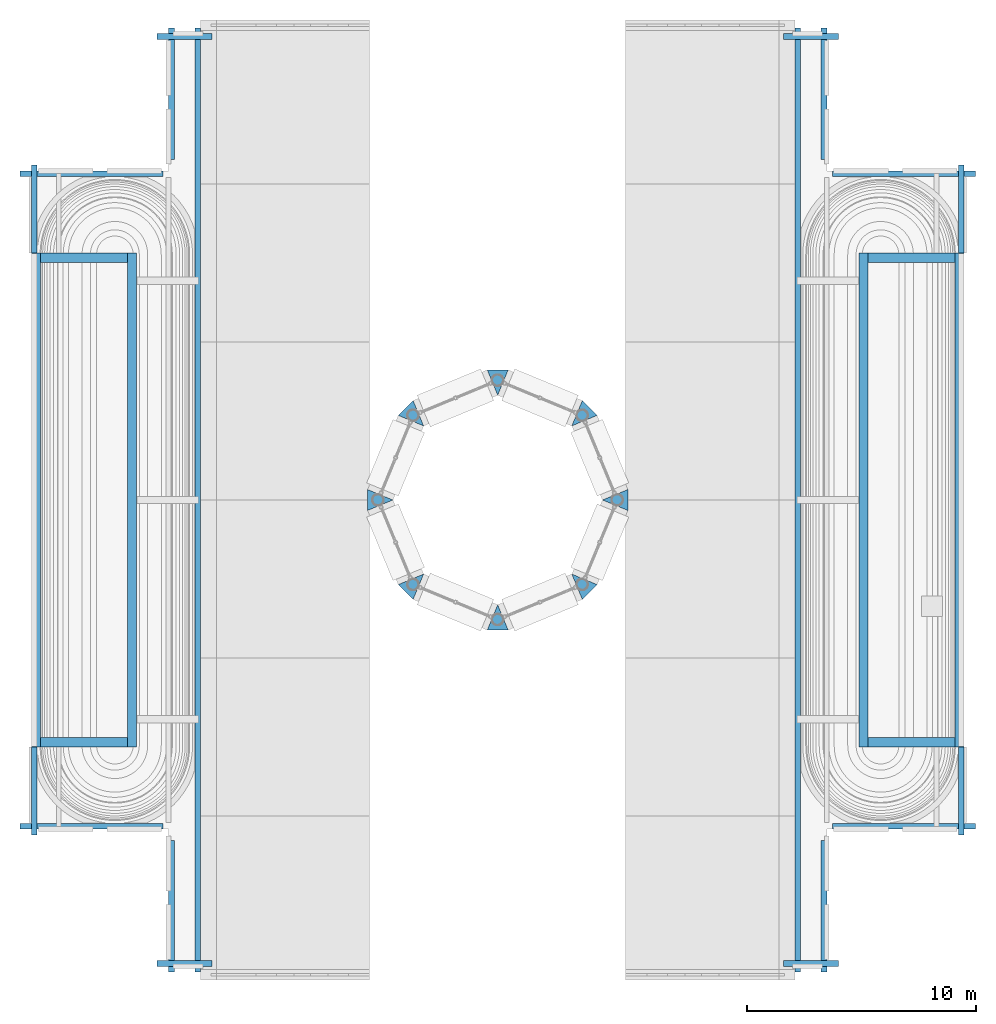
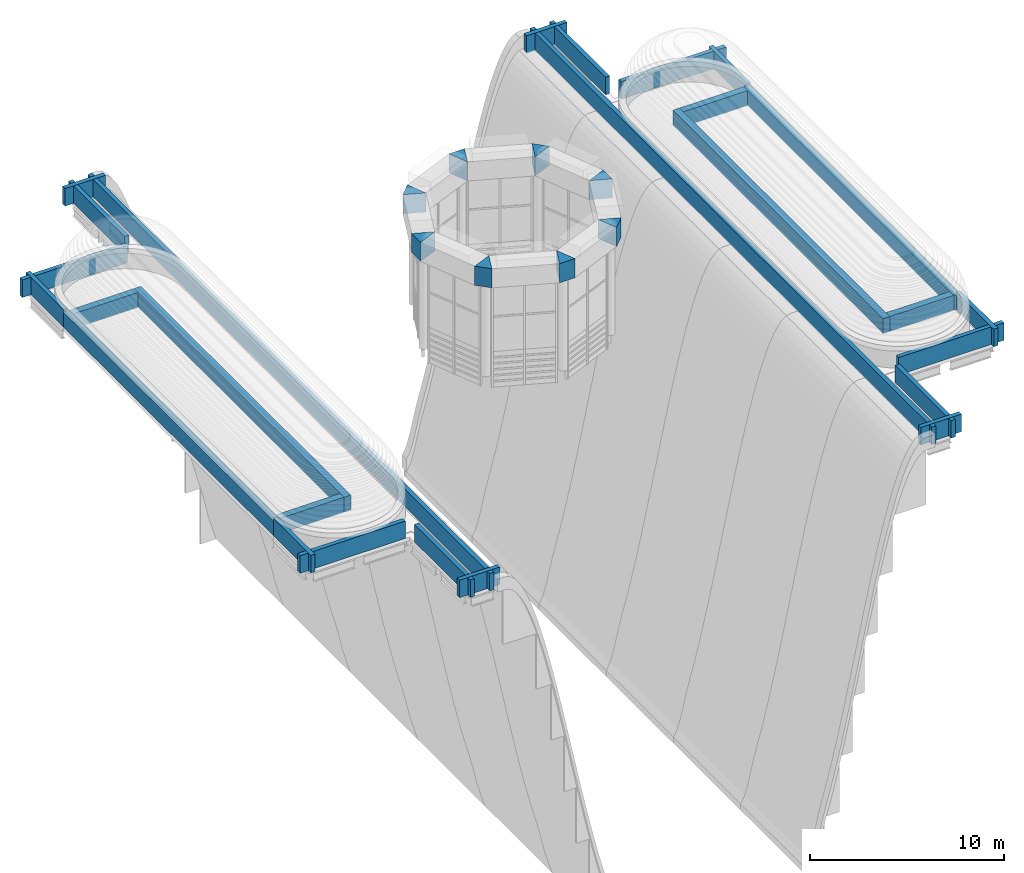
# One storey, part 7 of 14: 26 walls, 8 discrete accessories.
"""IFC4 building model written with IfcOpenShell, lengths in metres."""

from ifc_helpers import new_model, si_unit, direction, frame, frame_2d, origin, place, context, subcontext, project, spatial, polyline, rectangle, outline, extrude, material, layer, layer_set, type_object, element, save


model = new_model("IFC4")

# Units and contexts
model_context = context("Model", 3, precision=1e-05, world=origin(), true_north=direction((0.0, 1.0)))
body_context = subcontext(model_context, "Body", "Model", "MODEL_VIEW")
ifc_project = project(units=[si_unit("LENGTHUNIT", "METRE"), si_unit("AREAUNIT", "SQUARE_METRE"), si_unit("VOLUMEUNIT", "CUBIC_METRE"), si_unit("PLANEANGLEUNIT", "RADIAN"), si_unit("MASSUNIT", "GRAM", prefix="KILO")], contexts=[model_context])

# Site, building, storey
site_placement = place(None, origin())
site = spatial("IfcSite", under=ifc_project, at=site_placement, CompositionType="ELEMENT")
building_placement = place(site_placement, origin())
building = spatial("IfcBuilding", under=site, at=building_placement, Name="Cobrizo Arcos Hotel Tower", CompositionType="ELEMENT")
storey_placement = place(building_placement, frame((0.0, 0.0, 290.0)))
storey = spatial("IfcBuildingStorey", under=building, at=storey_placement, Name="RF", CompositionType="ELEMENT", Elevation=290.0)

# Walls
ifc_material_1 = material(Name="Aluminium composite panel pale metal", Category="aluminium")
ifc_layer_1 = layer(ifc_material_1, 0.25)
ifc_layer_set_1 = layer_set([ifc_layer_1], Name="PW-1 parapet wall")
wall_type_1 = type_object("IfcWallType", Name="PW-1 parapet wall", PredefinedType="PARAPET", material=ifc_layer_set_1)
wall_1_placement = place(storey_placement, frame((14.89990234375, 20.27490234375, 0.0), z_axis=(0.0, 0.0, 1.0), x_axis=(-1.0, 0.0, 0.0)))
element("IfcWall", 1, at=wall_1_placement, inside=storey, type_object=wall_type_1, Name="Parapet L76 N", PredefinedType="PARAPET", context=body_context, shape_type="SweptSolid", body=[
    extrude(rectangle(XDim=2.39990234375, YDim=0.25, at=frame_2d((1.199951171875, 0.0))), origin(), (0.0, 0.0, 1.0), 1.10009765625),
])
wall_2_placement = place(storey_placement, frame((13.125, 20.64990234375, 0.0), z_axis=(0.0, 0.0, 1.0), x_axis=(0.0, -1.0, 0.0)))
element("IfcWall", 2, at=wall_2_placement, inside=storey, type_object=wall_type_1, Name="Parapet L76 W", PredefinedType="PARAPET", context=body_context, shape_type="SweptSolid", body=[
    extrude(rectangle(XDim=41.2998046875, YDim=0.25, at=frame_2d((20.64990234375, 0.0))), origin(), (0.0, 0.0, 1.0), 1.10009765625),
])
wall_3_placement = place(storey_placement, frame((12.5, -20.27490234375, 0.0), z_axis=(0.0, 0.0, 1.0), x_axis=(1.0, 0.0, 0.0)))
element("IfcWall", 3, at=wall_3_placement, inside=storey, type_object=wall_type_1, Name="Parapet L76 S", PredefinedType="PARAPET", context=body_context, shape_type="SweptSolid", body=[
    extrude(rectangle(XDim=2.39990234375, YDim=0.25, at=frame_2d((1.199951171875, 0.0))), origin(), (0.0, 0.0, 1.0), 1.10009765625),
])
wall_4_placement = place(storey_placement, frame((14.27490234375, -20.64990234375, 0.0), z_axis=(0.0, 0.0, 1.0), x_axis=(0.0, 1.0, 0.0)))
element("IfcWall", 4, at=wall_4_placement, inside=storey, type_object=wall_type_1, Name="Parapet L76 E", PredefinedType="PARAPET", context=body_context, shape_type="SweptSolid", body=[
    extrude(rectangle(XDim=5.75, YDim=0.25, at=frame_2d((2.875, 0.0))), origin(), (0.0, 0.0, 1.0), 1.10009765625),
])
wall_5_placement = place(storey_placement, frame((14.64990234375, -14.27490234375, 0.0), z_axis=(0.0, 0.0, 1.0), x_axis=(1.0, 0.0, 0.0)))
element("IfcWall", 5, at=wall_5_placement, inside=storey, type_object=wall_type_1, Name="Parapet L76 S", PredefinedType="PARAPET", context=body_context, shape_type="SweptSolid", body=[
    extrude(rectangle(XDim=6.25, YDim=0.25, at=frame_2d((3.125, 0.0))), origin(), (0.0, 0.0, 1.0), 1.10009765625),
])
for number, where, z_axis, x_axis, name in (
    (6, (20.27490234375, -14.64990234375, 0.0), (0.0, 0.0, 1.0), (0.0, 1.0, 0.0), "Parapet L76 E"),
    (7, (20.27490234375, 10.800048828125, 0.0), (0.0, 0.0, 1.0), (0.0, 1.0, 0.0), "Parapet L76 E"),
):
    element("IfcWall", number, at=place(storey_placement, frame(where, z_axis=z_axis, x_axis=x_axis)), inside=storey, type_object=wall_type_1, Name=name, PredefinedType="PARAPET", context=body_context, shape_type="SweptSolid", body=[
        extrude(rectangle(XDim=3.849853515625, YDim=0.25, at=frame_2d((1.9248046875, 0.0))), origin(), (0.0, 0.0, 1.0), 1.10009765625),
    ])
wall_6_placement = place(storey_placement, frame((20.89990234375, 14.27490234375, 0.0), z_axis=(0.0, 0.0, 1.0), x_axis=(-1.0, 0.0, 0.0)))
element("IfcWall", 8, at=wall_6_placement, inside=storey, type_object=wall_type_1, Name="Parapet L76 N", PredefinedType="PARAPET", context=body_context, shape_type="SweptSolid", body=[
    extrude(rectangle(XDim=6.25, YDim=0.25, at=frame_2d((3.125, 0.0))), origin(), (0.0, 0.0, 1.0), 1.10009765625),
])
wall_7_placement = place(storey_placement, frame((14.27490234375, 14.89990234375, 0.0), z_axis=(0.0, 0.0, 1.0), x_axis=(0.0, 1.0, 0.0)))
element("IfcWall", 9, at=wall_7_placement, inside=storey, type_object=wall_type_1, Name="Parapet L76 E", PredefinedType="PARAPET", context=body_context, shape_type="SweptSolid", body=[
    extrude(rectangle(XDim=5.75, YDim=0.25, at=frame_2d((2.875, 0.0))), origin(), (0.0, 0.0, 1.0), 1.10009765625),
])
wall_8_placement = place(storey_placement, frame((-14.89990234375, -20.27490234375, 0.0), z_axis=(0.0, 0.0, 1.0), x_axis=(1.0, 0.0, 0.0)))
element("IfcWall", 10, at=wall_8_placement, inside=storey, type_object=wall_type_1, Name="Parapet L76 S", PredefinedType="PARAPET", context=body_context, shape_type="SweptSolid", body=[
    extrude(rectangle(XDim=2.39990234375, YDim=0.25, at=frame_2d((1.199951171875, 0.0))), origin(), (0.0, 0.0, 1.0), 1.10009765625),
])
wall_9_placement = place(storey_placement, frame((-13.125, -20.64990234375, 0.0), z_axis=(0.0, 0.0, 1.0), x_axis=(0.0, 1.0, 0.0)))
element("IfcWall", 11, at=wall_9_placement, inside=storey, type_object=wall_type_1, Name="Parapet L76 E", PredefinedType="PARAPET", context=body_context, shape_type="SweptSolid", body=[
    extrude(rectangle(XDim=41.2998046875, YDim=0.25, at=frame_2d((20.64990234375, 0.0))), origin(), (0.0, 0.0, 1.0), 1.10009765625),
])
wall_10_placement = place(storey_placement, frame((-12.5, 20.27490234375, 0.0), z_axis=(0.0, 0.0, 1.0), x_axis=(-1.0, 0.0, 0.0)))
element("IfcWall", 12, at=wall_10_placement, inside=storey, type_object=wall_type_1, Name="Parapet L76 N", PredefinedType="PARAPET", context=body_context, shape_type="SweptSolid", body=[
    extrude(rectangle(XDim=2.39990234375, YDim=0.25, at=frame_2d((1.199951171875, 0.0))), origin(), (0.0, 0.0, 1.0), 1.10009765625),
])
wall_11_placement = place(storey_placement, frame((-14.27490234375, 20.64990234375, 0.0), z_axis=(0.0, 0.0, 1.0), x_axis=(0.0, -1.0, 0.0)))
element("IfcWall", 13, at=wall_11_placement, inside=storey, type_object=wall_type_1, Name="Parapet L76 W", PredefinedType="PARAPET", context=body_context, shape_type="SweptSolid", body=[
    extrude(rectangle(XDim=5.75, YDim=0.25, at=frame_2d((2.875, 0.0))), origin(), (0.0, 0.0, 1.0), 1.10009765625),
])
wall_12_placement = place(storey_placement, frame((-14.64990234375, 14.27490234375, 0.0), z_axis=(0.0, 0.0, 1.0), x_axis=(-1.0, 0.0, 0.0)))
element("IfcWall", 14, at=wall_12_placement, inside=storey, type_object=wall_type_1, Name="Parapet L76 N", PredefinedType="PARAPET", context=body_context, shape_type="SweptSolid", body=[
    extrude(rectangle(XDim=6.25, YDim=0.25, at=frame_2d((3.125, 0.0))), origin(), (0.0, 0.0, 1.0), 1.10009765625),
])
for number, where, z_axis, x_axis, name in (
    (15, (-20.27490234375, 14.64990234375, 0.0), (0.0, 0.0, 1.0), (0.0, -1.0, 0.0), "Parapet L76 W"),
    (16, (-20.27490234375, -10.800048828125, 0.0), (0.0, 0.0, 1.0), (0.0, -1.0, 0.0), "Parapet L76 W"),
):
    element("IfcWall", number, at=place(storey_placement, frame(where, z_axis=z_axis, x_axis=x_axis)), inside=storey, type_object=wall_type_1, Name=name, PredefinedType="PARAPET", context=body_context, shape_type="SweptSolid", body=[
        extrude(rectangle(XDim=3.849853515625, YDim=0.25, at=frame_2d((1.9248046875, 0.0))), origin(), (0.0, 0.0, 1.0), 1.10009765625),
    ])
wall_13_placement = place(storey_placement, frame((-20.89990234375, -14.27490234375, 0.0), z_axis=(0.0, 0.0, 1.0), x_axis=(1.0, 0.0, 0.0)))
element("IfcWall", 17, at=wall_13_placement, inside=storey, type_object=wall_type_1, Name="Parapet L76 S", PredefinedType="PARAPET", context=body_context, shape_type="SweptSolid", body=[
    extrude(rectangle(XDim=6.25, YDim=0.25, at=frame_2d((3.125, 0.0))), origin(), (0.0, 0.0, 1.0), 1.10009765625),
])
wall_14_placement = place(storey_placement, frame((-14.27490234375, -14.89990234375, 0.0), z_axis=(0.0, 0.0, 1.0), x_axis=(0.0, -1.0, 0.0)))
element("IfcWall", 18, at=wall_14_placement, inside=storey, type_object=wall_type_1, Name="Parapet L76 W", PredefinedType="PARAPET", context=body_context, shape_type="SweptSolid", body=[
    extrude(rectangle(XDim=5.75, YDim=0.25, at=frame_2d((2.875, 0.0))), origin(), (0.0, 0.0, 1.0), 1.10009765625),
])
ifc_material_2 = material(Name="Concrete f'c 40 MPa", Category="concrete")
ifc_layer_2 = layer(ifc_material_2, 0.39990234375)
ifc_layer_set_2 = layer_set([ifc_layer_2], Name="RC core wall 400 f'c 40")
wall_type_2 = type_object("IfcWallType", Name="RC core wall 400 f'c 40", PredefinedType="SHEAR", material=ifc_layer_set_2)
for number, where, z_axis, x_axis, name in (
    (19, (16.0, -10.800048828125, 0.0), (0.0, 0.0, 1.0), (0.0, 1.0, 0.0), "Core wall CW4, east core, inner face, RF"),
    (20, (20.199951171875, -10.800048828125, 0.0), (0.0, 0.0, 1.0), (0.0, 1.0, 0.0), "Core wall CW4, east core, outer face, RF"),
):
    element("IfcWall", number, at=place(storey_placement, frame(where, z_axis=z_axis, x_axis=x_axis)), inside=storey, type_object=wall_type_2, Name=name, PredefinedType="SHEAR", context=body_context, shape_type="SweptSolid", body=[
        extrude(rectangle(XDim=21.60009765625, YDim=0.39990234375, at=frame_2d((10.800048828125, 0.0))), origin(), (0.0, 0.0, 1.0), 0.949951171875),
    ])
for number, where, z_axis, x_axis, name in (
    (21, (16.199951171875, 10.60009765625, 0.0), (0.0, 0.0, 1.0), (1.0, 0.0, 0.0), "Core wall CW4, east core, north end, RF"),
    (22, (16.199951171875, -10.60009765625, 0.0), (0.0, 0.0, 1.0), (1.0, 0.0, 0.0), "Core wall CW4, east core, south end, RF"),
):
    element("IfcWall", number, at=place(storey_placement, frame(where, z_axis=z_axis, x_axis=x_axis)), inside=storey, type_object=wall_type_2, Name=name, PredefinedType="SHEAR", context=body_context, shape_type="SweptSolid", body=[
        extrude(rectangle(XDim=3.800048828125, YDim=0.39990234375, at=frame_2d((1.89990234375, 0.0))), origin(), (0.0, 0.0, 1.0), 0.949951171875),
    ])
for number, where, z_axis, x_axis, name in (
    (23, (-16.0, -10.800048828125, 0.0), (0.0, 0.0, 1.0), (0.0, 1.0, 0.0), "Core wall CW4, west core, inner face, RF"),
    (24, (-20.199951171875, -10.800048828125, 0.0), (0.0, 0.0, 1.0), (0.0, 1.0, 0.0), "Core wall CW4, west core, outer face, RF"),
):
    element("IfcWall", number, at=place(storey_placement, frame(where, z_axis=z_axis, x_axis=x_axis)), inside=storey, type_object=wall_type_2, Name=name, PredefinedType="SHEAR", context=body_context, shape_type="SweptSolid", body=[
        extrude(rectangle(XDim=21.60009765625, YDim=0.39990234375, at=frame_2d((10.800048828125, 0.0))), origin(), (0.0, 0.0, 1.0), 0.949951171875),
    ])
for number, where, z_axis, x_axis, name in (
    (25, (-20.0, 10.60009765625, 0.0), (0.0, 0.0, 1.0), (1.0, 0.0, 0.0), "Core wall CW4, west core, north end, RF"),
    (26, (-20.0, -10.60009765625, 0.0), (0.0, 0.0, 1.0), (1.0, 0.0, 0.0), "Core wall CW4, west core, south end, RF"),
):
    element("IfcWall", number, at=place(storey_placement, frame(where, z_axis=z_axis, x_axis=x_axis)), inside=storey, type_object=wall_type_2, Name=name, PredefinedType="SHEAR", context=body_context, shape_type="SweptSolid", body=[
        extrude(rectangle(XDim=3.800048828125, YDim=0.39990234375, at=frame_2d((1.89990234375, 0.0))), origin(), (0.0, 0.0, 1.0), 0.949951171875),
    ])

# Discrete accessories
ifc_material_3 = material(Name="Steel ASTM A572 Grade 50", Category="steel")
discrete_accessory_type = type_object("IfcDiscreteAccessoryType", Name="DN-1 drum corner node", PredefinedType="BRACKET", material=ifc_material_3)
discrete_accessory_1_placement = place(storey_placement, frame((0.0, 0.0, 5.800048828125)))
element("IfcDiscreteAccessory", 27, at=discrete_accessory_1_placement, inside=storey, type_object=discrete_accessory_type, Name="Drum corner node", PredefinedType="BRACKET", context=body_context, shape_type="SweptSolid", body=[
    extrude(outline(polyline([(5.69189453125, -0.459228515625), (4.583251953125, 0.0), (4.583251953125, 0.0), (5.69189453125, 0.459228515625), (5.69189453125, -0.459228515625)])), origin(), (0.0, 0.0, 1.0), 1.199951171875),
])
discrete_accessory_2_placement = place(storey_placement, frame((0.0, 0.0, 5.800048828125)))
element("IfcDiscreteAccessory", 28, at=discrete_accessory_2_placement, inside=storey, type_object=discrete_accessory_type, Name="Drum corner node", PredefinedType="BRACKET", context=body_context, shape_type="SweptSolid", body=[
    extrude(outline(polyline([(3.24072265625, 3.24072265625), (3.24072265625, 3.24072265625), (3.699951171875, 4.349365234375), (4.349365234375, 3.699951171875), (3.24072265625, 3.24072265625)])), origin(), (0.0, 0.0, 1.0), 1.199951171875),
])
discrete_accessory_3_placement = place(storey_placement, frame((0.0, 0.0, 5.800048828125)))
element("IfcDiscreteAccessory", 29, at=discrete_accessory_3_placement, inside=storey, type_object=discrete_accessory_type, Name="Drum corner node", PredefinedType="BRACKET", context=body_context, shape_type="SweptSolid", body=[
    extrude(outline(polyline([(0.0, 4.583251953125), (-0.459228515625, 5.69189453125), (0.459228515625, 5.69189453125), (0.0, 4.583251953125), (0.0, 4.583251953125)])), origin(), (0.0, 0.0, 1.0), 1.199951171875),
])
discrete_accessory_4_placement = place(storey_placement, frame((0.0, 0.0, 5.800048828125)))
element("IfcDiscreteAccessory", 30, at=discrete_accessory_4_placement, inside=storey, type_object=discrete_accessory_type, Name="Drum corner node", PredefinedType="BRACKET", context=body_context, shape_type="SweptSolid", body=[
    extrude(outline(polyline([(-3.24072265625, 3.24072265625), (-4.349365234375, 3.699951171875), (-3.699951171875, 4.349365234375), (-3.24072265625, 3.24072265625), (-3.24072265625, 3.24072265625)])), origin(), (0.0, 0.0, 1.0), 1.199951171875),
])
discrete_accessory_5_placement = place(storey_placement, frame((0.0, 0.0, 5.800048828125)))
element("IfcDiscreteAccessory", 31, at=discrete_accessory_5_placement, inside=storey, type_object=discrete_accessory_type, Name="Drum corner node", PredefinedType="BRACKET", context=body_context, shape_type="SweptSolid", body=[
    extrude(outline(polyline([(-5.69189453125, -0.459228515625), (-5.69189453125, 0.459228515625), (-4.583251953125, 0.0), (-4.583251953125, 0.0), (-5.69189453125, -0.459228515625)])), origin(), (0.0, 0.0, 1.0), 1.199951171875),
])
discrete_accessory_6_placement = place(storey_placement, frame((0.0, 0.0, 5.800048828125)))
element("IfcDiscreteAccessory", 32, at=discrete_accessory_6_placement, inside=storey, type_object=discrete_accessory_type, Name="Drum corner node", PredefinedType="BRACKET", context=body_context, shape_type="SweptSolid", body=[
    extrude(outline(polyline([(-3.699951171875, -4.349365234375), (-4.349365234375, -3.699951171875), (-3.24072265625, -3.24072265625), (-3.24072265625, -3.24072265625), (-3.699951171875, -4.349365234375)])), origin(), (0.0, 0.0, 1.0), 1.199951171875),
])
discrete_accessory_7_placement = place(storey_placement, frame((0.0, 0.0, 5.800048828125)))
element("IfcDiscreteAccessory", 33, at=discrete_accessory_7_placement, inside=storey, type_object=discrete_accessory_type, Name="Drum corner node", PredefinedType="BRACKET", context=body_context, shape_type="SweptSolid", body=[
    extrude(outline(polyline([(-0.459228515625, -5.69189453125), (0.0, -4.583251953125), (0.0, -4.583251953125), (0.459228515625, -5.69189453125), (-0.459228515625, -5.69189453125)])), origin(), (0.0, 0.0, 1.0), 1.199951171875),
])
discrete_accessory_8_placement = place(storey_placement, frame((0.0, 0.0, 5.800048828125)))
element("IfcDiscreteAccessory", 34, at=discrete_accessory_8_placement, inside=storey, type_object=discrete_accessory_type, Name="Drum corner node", PredefinedType="BRACKET", context=body_context, shape_type="SweptSolid", body=[
    extrude(outline(polyline([(3.699951171875, -4.349365234375), (3.24072265625, -3.24072265625), (3.24072265625, -3.24072265625), (4.349365234375, -3.699951171875), (3.699951171875, -4.349365234375)])), origin(), (0.0, 0.0, 1.0), 1.199951171875),
])

save(model, "model.ifc")
